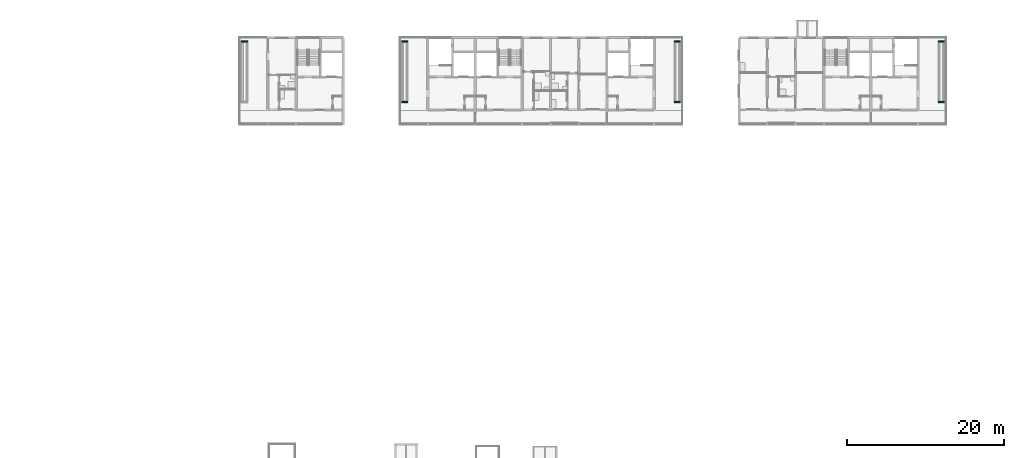
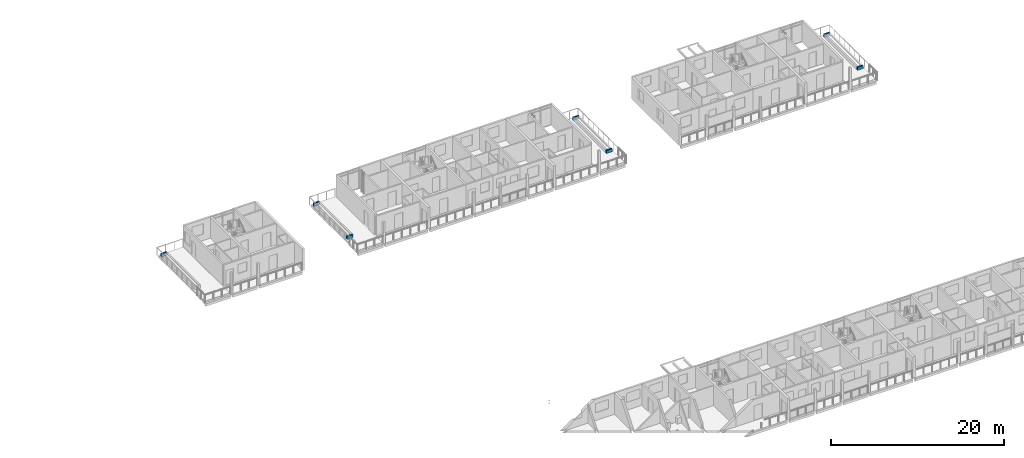
# One storey, part 61 of 87: 7 walls.
"""IFC4 building model written with IfcOpenShell, lengths in metres."""

from ifc_helpers import new_model, si_unit, direction, frame, frame_2d, origin, place, context, subcontext, project, spatial, rectangle, extrude, material, layer, layer_set, type_object, element, save


model = new_model("IFC4")

# Units and contexts
model_context = context("Model", 3, precision=1e-05, world=origin(), true_north=direction((0.0, 1.0)))
body_context = subcontext(model_context, "Body", "Model", "MODEL_VIEW")
ifc_project = project(units=[si_unit("LENGTHUNIT", "METRE"), si_unit("AREAUNIT", "SQUARE_METRE"), si_unit("VOLUMEUNIT", "CUBIC_METRE"), si_unit("PLANEANGLEUNIT", "RADIAN"), si_unit("MASSUNIT", "GRAM", prefix="KILO")], contexts=[model_context])

# Site, building, storey
site_placement = place(None, origin())
site = spatial("IfcSite", under=ifc_project, at=site_placement, CompositionType="ELEMENT")
building_placement = place(site_placement, origin())
building = spatial("IfcBuilding", under=site, at=building_placement, Name="Ridgestep Commons", CompositionType="ELEMENT")
storey_placement = place(building_placement, frame((0.0, 0.0, 27.0)))
storey = spatial("IfcBuildingStorey", under=building, at=storey_placement, Name="L09", CompositionType="ELEMENT", Elevation=27.0)

# Walls
ifc_material = material(Name="Facing brick", Category="masonry")
ifc_layer = layer(ifc_material, 0.199951171875)
ifc_layer_set = layer_set([ifc_layer], Name="Planter wall 200")
wall_type = type_object("IfcWallType", Name="Planter wall 200", PredefinedType="SOLIDWALL", material=ifc_layer_set)
for number, where, z_axis, x_axis, name in (
    (1, (150.64990234375, 76.60009765625, 0.010009765625), (0.0, 0.0, 1.0), (1.0, 0.0, 0.0), "Planter wall C1R2N"),
    (2, (171.050048828125, 68.89990234375, 0.010009765625), (0.0, 0.0, 1.0), (1.0, 0.0, 0.0), "Planter wall C2R3S"),
    (3, (171.050048828125, 76.60009765625, 0.010009765625), (0.0, 0.0, 1.0), (1.0, 0.0, 0.0), "Planter wall C2R3N"),
    (4, (205.75, 68.89990234375, 0.010009765625), (0.0, 0.0, 1.0), (1.0, 0.0, 0.0), "Planter wall C4R3S"),
    (5, (205.75, 76.60009765625, 0.010009765625), (0.0, 0.0, 1.0), (1.0, 0.0, 0.0), "Planter wall C4R3N"),
):
    element("IfcWall", number, at=place(storey_placement, frame(where, z_axis=z_axis, x_axis=x_axis)), inside=storey, type_object=wall_type, Name=name, PredefinedType="SOLIDWALL", context=body_context, shape_type="SweptSolid", body=[
        extrude(rectangle(XDim=0.800048828125, YDim=0.199951171875, at=frame_2d((0.39990234375, 0.0))), origin(), (0.0, 0.0, 1.0), 0.449951171875),
    ])
for number, where, z_axis, x_axis, name in (
    (6, (239.35009765625, 68.89990234375, 0.010009765625), (0.0, 0.0, 1.0), (1.0, 0.0, 0.0), "Planter wall C6R3S"),
    (7, (239.35009765625, 76.60009765625, 0.010009765625), (0.0, 0.0, 1.0), (1.0, 0.0, 0.0), "Planter wall C6R3N"),
):
    element("IfcWall", number, at=place(storey_placement, frame(where, z_axis=z_axis, x_axis=x_axis)), inside=storey, type_object=wall_type, Name=name, PredefinedType="SOLIDWALL", context=body_context, shape_type="SweptSolid", body=[
        extrude(rectangle(XDim=0.7998046875, YDim=0.199951171875, at=frame_2d((0.39990234375, 0.0))), origin(), (0.0, 0.0, 1.0), 0.449951171875),
    ])

save(model, "model.ifc")
